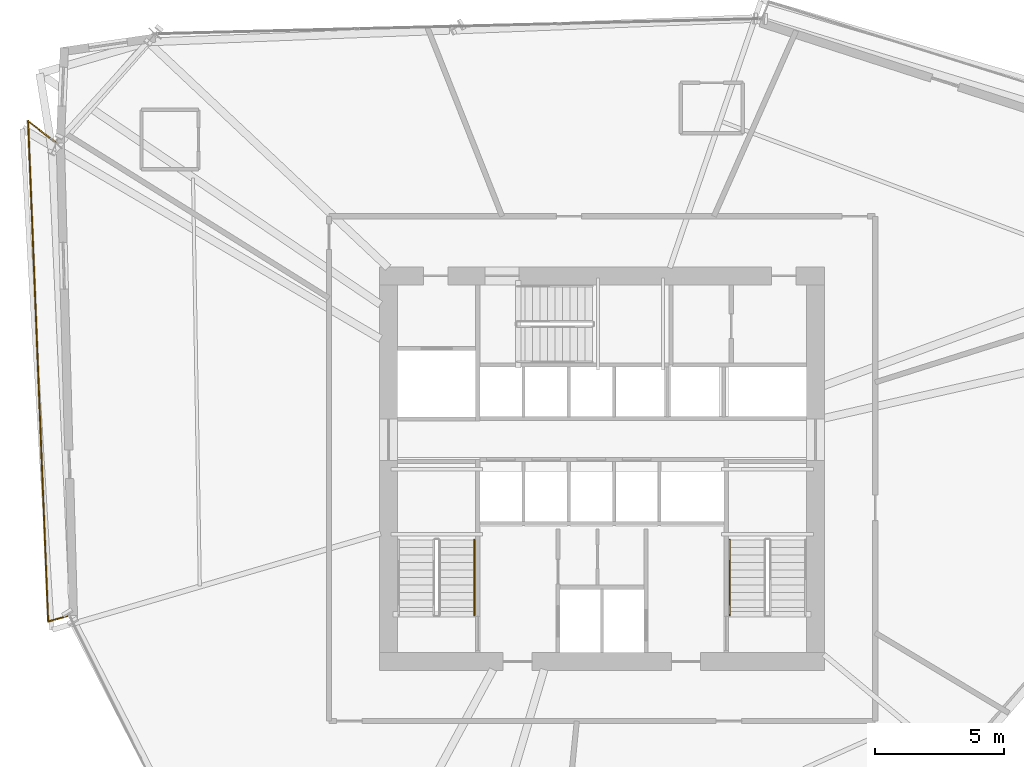
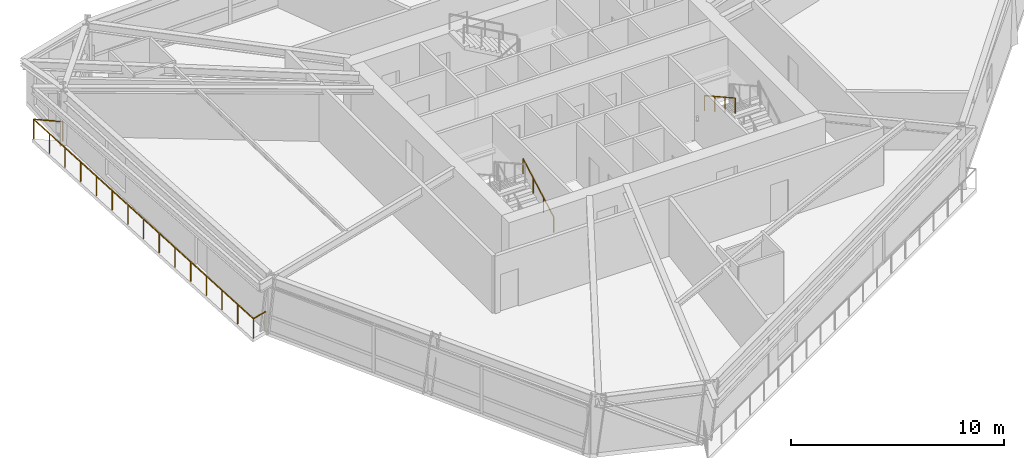
# One storey, part 18 of 20: 3 railings.
"""IFC4 building model written with IfcOpenShell, lengths in metres."""

from ifc_helpers import new_model, si_unit, direction, frame, origin, origin_2d, place, context, subcontext, project, spatial, rectangle, extrude, material, type_object, element, save


model = new_model("IFC4")

# Units and contexts
model_context = context("Model", 3, precision=1e-05, world=origin(), true_north=direction((0.0, 1.0)))
body_context = subcontext(model_context, "Body", "Model", "MODEL_VIEW")
ifc_project = project(units=[si_unit("LENGTHUNIT", "METRE"), si_unit("AREAUNIT", "SQUARE_METRE"), si_unit("VOLUMEUNIT", "CUBIC_METRE"), si_unit("PLANEANGLEUNIT", "RADIAN"), si_unit("MASSUNIT", "GRAM", prefix="KILO")], contexts=[model_context])

# Site, building, storey
site_placement = place(None, origin())
site = spatial("IfcSite", under=ifc_project, at=site_placement, CompositionType="ELEMENT")
building_placement = place(site_placement, origin())
building = spatial("IfcBuilding", under=site, at=building_placement, Name="Olszyna Solenne Hotel", CompositionType="ELEMENT")
storey_placement = place(building_placement, frame((0.0, 0.0, 98.60009765625)))
storey = spatial("IfcBuildingStorey", under=building, at=storey_placement, Name="L25", CompositionType="ELEMENT", Elevation=98.60009765625)

# Railings
ifc_material_1 = material(Name="Anodised bronze aluminium", Category="aluminium")
railing_type_1 = type_object("IfcRailingType", Name="GR-110", PredefinedType="BALUSTRADE", material=ifc_material_1)
railing_1_placement = place(storey_placement, frame((16.914306640625, 39.18310546875, 0.0)))
element("IfcRailing", 1, at=railing_1_placement, inside=storey, type_object=railing_type_1, Name="Loggia balcony balustrade guard GR-L25-LG2", PredefinedType="BALUSTRADE", context=body_context, shape_type="SweptSolid", body=[
    extrude(rectangle(XDim=0.048095703125, YDim=0.048095703125, at=origin_2d()), frame((0.0, 0.0, 1.1259765625), z_axis=(-0.786484158726, 0.6176104501, 0.0), x_axis=(-0.6176104501, -0.786484158726, 0.0)), (0.0, 0.0, 1.0), 1.379150390625),
    extrude(rectangle(XDim=0.048095703125, YDim=0.048095703125, at=origin_2d()), frame((-1.084716796875, 0.851806640625, 1.1259765625), z_axis=(0.040102549169, -0.999195569221, 0.0), x_axis=(0.999195569221, 0.040102549169, 0.0)), (0.0, 0.0, 1.0), 19.353515625),
    extrude(rectangle(XDim=0.048095703125, YDim=0.048095703125, at=origin_2d()), frame((-0.30859375, -18.486083984375, 1.1259765625), z_axis=(0.962573323785, 0.271021394613, 0.0), x_axis=(-0.271021394613, 0.962573323785, 0.0)), (0.0, 0.0, 1.0), 0.845947265625),
    extrude(rectangle(XDim=0.0419921875, YDim=0.0419921875, at=origin_2d()), origin(), (0.0, 0.0, 1.0), 1.101806640625),
    extrude(rectangle(XDim=0.0419921875, YDim=0.0419921875, at=origin_2d()), frame((-1.084716796875, 0.851806640625, 0.0)), (0.0, 0.0, 1.0), 1.101806640625),
    extrude(rectangle(XDim=0.0419921875, YDim=0.0419921875, at=origin_2d()), frame((-1.029296875, -0.529541015625, 0.0)), (0.0, 0.0, 1.0), 1.101806640625),
    extrude(rectangle(XDim=0.0419921875, YDim=0.0419921875, at=origin_2d()), frame((-0.973876953125, -1.91064453125, 0.0)), (0.0, 0.0, 1.0), 1.101806640625),
    extrude(rectangle(XDim=0.0419921875, YDim=0.0419921875, at=origin_2d()), frame((-0.91845703125, -3.2919921875, 0.0)), (0.0, 0.0, 1.0), 1.101806640625),
    extrude(rectangle(XDim=0.0419921875, YDim=0.0419921875, at=origin_2d()), frame((-0.863037109375, -4.67333984375, 0.0)), (0.0, 0.0, 1.0), 1.101806640625),
    extrude(rectangle(XDim=0.0419921875, YDim=0.0419921875, at=origin_2d()), frame((-0.8076171875, -6.0546875, 0.0)), (0.0, 0.0, 1.0), 1.101806640625),
    extrude(rectangle(XDim=0.0419921875, YDim=0.0419921875, at=origin_2d()), frame((-0.752197265625, -7.435791015625, 0.0)), (0.0, 0.0, 1.0), 1.101806640625),
    extrude(rectangle(XDim=0.0419921875, YDim=0.0419921875, at=origin_2d()), frame((-0.69677734375, -8.817138671875, 0.0)), (0.0, 0.0, 1.0), 1.101806640625),
    extrude(rectangle(XDim=0.0419921875, YDim=0.0419921875, at=origin_2d()), frame((-0.64111328125, -10.198486328125, 0.0)), (0.0, 0.0, 1.0), 1.101806640625),
    extrude(rectangle(XDim=0.0419921875, YDim=0.0419921875, at=origin_2d()), frame((-0.585693359375, -11.57958984375, 0.0)), (0.0, 0.0, 1.0), 1.101806640625),
    extrude(rectangle(XDim=0.0419921875, YDim=0.0419921875, at=origin_2d()), frame((-0.5302734375, -12.9609375, 0.0)), (0.0, 0.0, 1.0), 1.101806640625),
    extrude(rectangle(XDim=0.0419921875, YDim=0.0419921875, at=origin_2d()), frame((-0.474853515625, -14.34228515625, 0.0)), (0.0, 0.0, 1.0), 1.101806640625),
    extrude(rectangle(XDim=0.0419921875, YDim=0.0419921875, at=origin_2d()), frame((-0.41943359375, -15.7236328125, 0.0)), (0.0, 0.0, 1.0), 1.101806640625),
    extrude(rectangle(XDim=0.0419921875, YDim=0.0419921875, at=origin_2d()), frame((-0.364013671875, -17.104736328125, 0.0)), (0.0, 0.0, 1.0), 1.101806640625),
    extrude(rectangle(XDim=0.0419921875, YDim=0.0419921875, at=origin_2d()), frame((-0.30859375, -18.486083984375, 0.0)), (0.0, 0.0, 1.0), 1.101806640625),
    extrude(rectangle(XDim=0.0419921875, YDim=0.0419921875, at=origin_2d()), frame((0.505615234375, -18.2568359375, 0.0)), (0.0, 0.0, 1.0), 1.101806640625),
])
ifc_material_2 = material(Name="Steel S355J2", Category="steel")
railing_type_2 = type_object("IfcRailingType", Name="HR-090", PredefinedType="HANDRAIL", material=ifc_material_2)
railing_2_placement = place(storey_placement, frame((33.070068359375, 20.949951171875, 0.161376953125)))
element("IfcRailing", 2, at=railing_2_placement, inside=storey, type_object=railing_type_2, Name="L25 ST1 stair handrail 1", PredefinedType="HANDRAIL", context=body_context, shape_type="SweptSolid", body=[
    extrude(rectangle(XDim=0.048095703125, YDim=0.048095703125, at=origin_2d()), frame((0.0, 0.0, 0.8759765625), z_axis=(0.0, 0.873858693841, 0.486179990537), x_axis=(-1.0, 0.0, 0.0)), (0.0, 0.0, 1.0), 3.31884765625),
    extrude(rectangle(XDim=0.0419921875, YDim=0.0419921875, at=origin_2d()), origin(), (0.0, 0.0, 1.0), 0.851806640625),
    extrude(rectangle(XDim=0.0419921875, YDim=0.0419921875, at=origin_2d()), frame((0.0, 0.966796875, 0.537841796875)), (0.0, 0.0, 1.0), 0.851806640625),
    extrude(rectangle(XDim=0.0419921875, YDim=0.0419921875, at=origin_2d()), frame((0.0, 1.933349609375, 1.07568359375)), (0.0, 0.0, 1.0), 0.851806640625),
    extrude(rectangle(XDim=0.0419921875, YDim=0.0419921875, at=origin_2d()), frame((0.0, 2.900146484375, 1.613525390625)), (0.0, 0.0, 1.0), 0.851806640625),
])
railing_3_placement = place(storey_placement, frame((42.929931640625, 23.85009765625, 1.936279296875)))
element("IfcRailing", 3, at=railing_3_placement, inside=storey, type_object=railing_type_2, Name="L25 ST2 stair handrail 2", PredefinedType="HANDRAIL", context=body_context, shape_type="SweptSolid", body=[
    extrude(rectangle(XDim=0.048095703125, YDim=0.048095703125, at=origin_2d()), frame((0.0, 0.0, 0.8759765625), z_axis=(0.0, -0.873858693841, 0.486179990537), x_axis=(1.0, 0.0, 0.0)), (0.0, 0.0, 1.0), 3.31884765625),
    extrude(rectangle(XDim=0.0419921875, YDim=0.0419921875, at=origin_2d()), origin(), (0.0, 0.0, 1.0), 0.851806640625),
    extrude(rectangle(XDim=0.0419921875, YDim=0.0419921875, at=origin_2d()), frame((0.0, -0.966796875, 0.537841796875)), (0.0, 0.0, 1.0), 0.851806640625),
    extrude(rectangle(XDim=0.0419921875, YDim=0.0419921875, at=origin_2d()), frame((0.0, -1.933349609375, 1.07568359375)), (0.0, 0.0, 1.0), 0.851806640625),
    extrude(rectangle(XDim=0.0419921875, YDim=0.0419921875, at=origin_2d()), frame((0.0, -2.900146484375, 1.613525390625)), (0.0, 0.0, 1.0), 0.851806640625),
])

save(model, "model.ifc")
